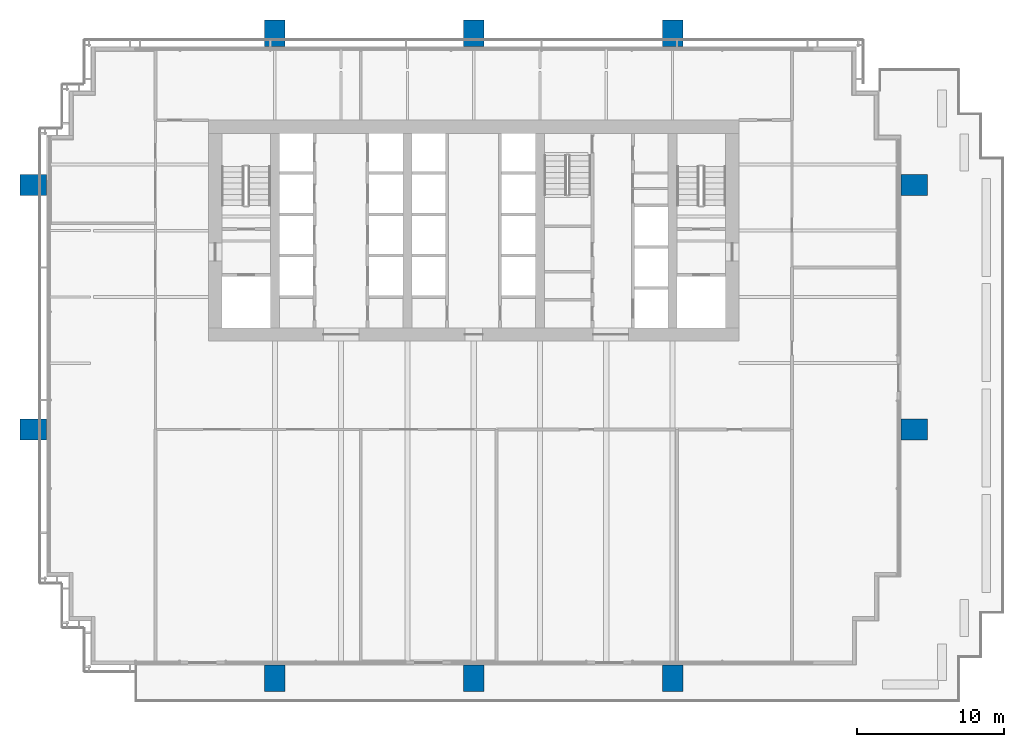
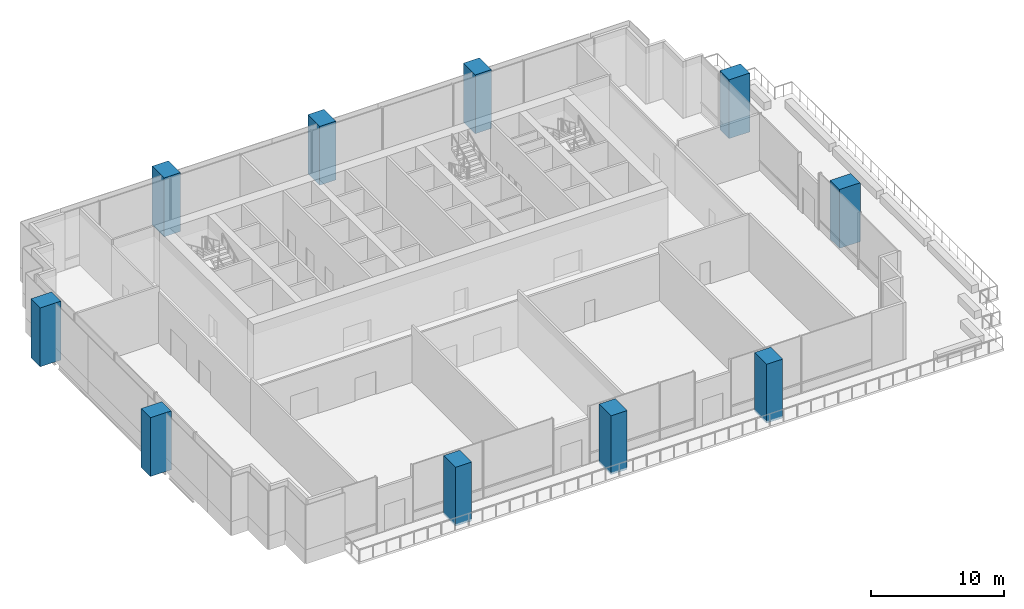
# One storey, part 1 of 14: 10 columns.
"""IFC4 building model written with IfcOpenShell, lengths in metres."""

from ifc_helpers import new_model, si_unit, direction, frame, origin, origin_2d, place, context, subcontext, project, spatial, rectangle, extrude, material, material_profile, profile_set, type_object, element, save


model = new_model("IFC4")

# Units and contexts
model_context = context("Model", 3, precision=1e-05, world=origin(), true_north=direction((0.0, 1.0)))
body_context = subcontext(model_context, "Body", "Model", "MODEL_VIEW")
ifc_project = project(units=[si_unit("LENGTHUNIT", "METRE"), si_unit("AREAUNIT", "SQUARE_METRE"), si_unit("VOLUMEUNIT", "CUBIC_METRE"), si_unit("PLANEANGLEUNIT", "RADIAN"), si_unit("MASSUNIT", "GRAM", prefix="KILO")], contexts=[model_context])

# Site, building, storey
site_placement = place(None, origin())
site = spatial("IfcSite", under=ifc_project, at=site_placement, CompositionType="ELEMENT")
building_placement = place(site_placement, origin())
building = spatial("IfcBuilding", under=site, at=building_placement, Name="Rattan Terrace Tower", CompositionType="ELEMENT")
storey_placement = place(building_placement, frame((0.0, 0.0, 120.699951171875)))
storey = spatial("IfcBuildingStorey", under=building, at=storey_placement, Name="L27", CompositionType="ELEMENT", Elevation=120.699951171875)

# Columns
ifc_material = material(Name="Concrete C50/60", Category="concrete")
ifc_material_profile = material_profile(ifc_material, rectangle(XDim=1.39990234375, YDim=1.800048828125, at=origin_2d()), Name="CFT 1800x1400")
ifc_profile_set = profile_set([ifc_material_profile], Name="Concrete C50/60")
column_type = type_object("IfcColumnType", Name="Frame exoskeleton column CFT 1800x1400", PredefinedType="COLUMN", material=ifc_profile_set)
for number, where, z_axis, x_axis, name in (
    (1, (-13.5, -30.39990234375, -0.199951171875), (0.0, 0.0, 1.0), (1.0, 0.0, 0.0), "exo-L27-001"),
    (2, (0.0, -30.39990234375, -0.199951171875), (0.0, 0.0, 1.0), (1.0, 0.0, 0.0), "exo-L27-002"),
    (3, (13.5, -30.39990234375, -0.199951171875), (0.0, 0.0, 1.0), (1.0, 0.0, 0.0), "exo-L27-003"),
    (4, (-29.89990234375, -13.5, -0.199951171875), (0.0, 0.0, 1.0), (0.0, 1.0, 0.0), "exo-L27-004"),
    (5, (29.89990234375, -13.5, -0.199951171875), (0.0, 0.0, 1.0), (0.0, 1.0, 0.0), "exo-L27-005"),
    (6, (-29.89990234375, 3.10009765625, -0.199951171875), (0.0, 0.0, 1.0), (0.0, 1.0, 0.0), "exo-L27-006"),
    (7, (29.89990234375, 3.10009765625, -0.199951171875), (0.0, 0.0, 1.0), (0.0, 1.0, 0.0), "exo-L27-007"),
    (8, (-13.5, 13.39990234375, -0.199951171875), (0.0, 0.0, 1.0), (1.0, 0.0, 0.0), "exo-L27-008"),
    (9, (0.0, 13.39990234375, -0.199951171875), (0.0, 0.0, 1.0), (1.0, 0.0, 0.0), "exo-L27-009"),
    (10, (13.5, 13.39990234375, -0.199951171875), (0.0, 0.0, 1.0), (1.0, 0.0, 0.0), "exo-L27-010"),
):
    element("IfcColumn", number, at=place(storey_placement, frame(where, z_axis=z_axis, x_axis=x_axis)), inside=storey, type_object=column_type, Name=name, PredefinedType="COLUMN", context=body_context, shape_type="SweptSolid", body=[
        extrude(rectangle(XDim=1.39990234375, YDim=1.800048828125, at=origin_2d()), origin(), (0.0, 0.0, 1.0), 5.39990234375),
    ])

save(model, "model.ifc")
